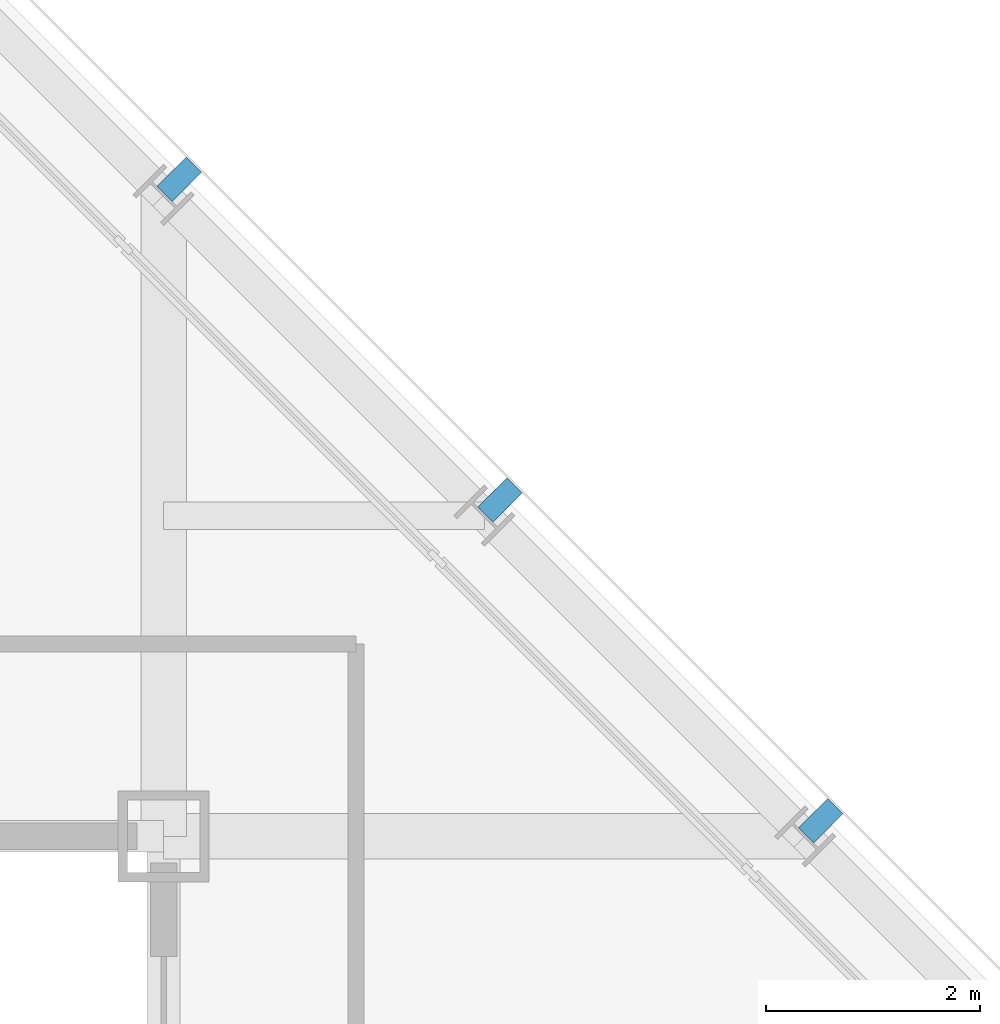
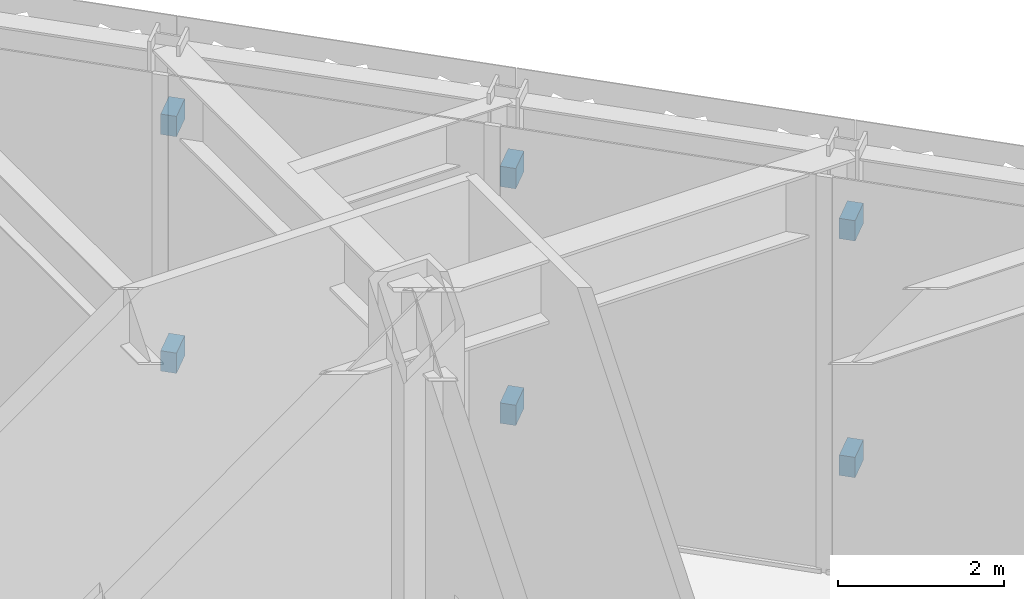
# One storey, part 17 of 28: 6 discrete accessories.
"""IFC4 building model written with IfcOpenShell, lengths in metres."""

from ifc_helpers import new_model, si_unit, direction, frame, origin, origin_2d, place, context, subcontext, project, spatial, rectangle, extrude, material, type_object, element, save


model = new_model("IFC4")

# Units and contexts
model_context = context("Model", 3, precision=1e-05, world=origin(), true_north=direction((0.0, 1.0)))
body_context = subcontext(model_context, "Body", "Model", "MODEL_VIEW")
ifc_project = project(units=[si_unit("LENGTHUNIT", "METRE"), si_unit("AREAUNIT", "SQUARE_METRE"), si_unit("VOLUMEUNIT", "CUBIC_METRE"), si_unit("PLANEANGLEUNIT", "RADIAN"), si_unit("MASSUNIT", "GRAM", prefix="KILO")], contexts=[model_context])

# Site, building, storey
site_placement = place(None, origin())
site = spatial("IfcSite", under=ifc_project, at=site_placement, CompositionType="ELEMENT")
building_placement = place(site_placement, origin())
building = spatial("IfcBuilding", under=site, at=building_placement, Name="Chuquiago Exchange Tower", CompositionType="ELEMENT")
storey_placement = place(building_placement, frame((0.0, 0.0, 300.0)))
storey = spatial("IfcBuildingStorey", under=building, at=storey_placement, Name="L67", CompositionType="ELEMENT", Elevation=300.0)

# Discrete accessories
ifc_material = material(Name="Stainless steel plate bracket", Category="steel")
discrete_accessory_type = type_object("IfcDiscreteAccessoryType", Name="GB2 cladding bracket 386", PredefinedType="BRACKET", material=ifc_material)
for number, where, z_axis, x_axis, name in (
    (1, (39.146240234375, 33.146240234375, 1.0048828125), (0.0, 0.0, 1.0), (-0.707106781187, 0.707106781187, 0.0), "Cladding bracket L67 NE"),
    (2, (39.146240234375, 33.146240234375, 4.4951171875), (0.0, 0.0, 1.0), (-0.707106781187, 0.707106781187, 0.0), "Cladding bracket L67 NE"),
    (3, (36.146240234375, 36.146240234375, 1.0048828125), (0.0, 0.0, 1.0), (-0.707106781187, 0.707106781187, 0.0), "Cladding bracket L67 NE"),
    (4, (36.146240234375, 36.146240234375, 4.4951171875), (0.0, 0.0, 1.0), (-0.707106781187, 0.707106781187, 0.0), "Cladding bracket L67 NE"),
    (5, (33.146240234375, 39.146240234375, 1.0048828125), (0.0, 0.0, 1.0), (-0.707106781187, 0.707106781187, 0.0), "Cladding bracket L67 NE"),
    (6, (33.146240234375, 39.146240234375, 4.4951171875), (0.0, 0.0, 1.0), (-0.707106781187, 0.707106781187, 0.0), "Cladding bracket L67 NE"),
):
    element("IfcDiscreteAccessory", number, at=place(storey_placement, frame(where, z_axis=z_axis, x_axis=x_axis)), inside=storey, type_object=discrete_accessory_type, Name=name, PredefinedType="BRACKET", context=body_context, shape_type="SweptSolid", body=[
        extrude(rectangle(XDim=0.199951171875, YDim=0.386474609375, at=origin_2d()), origin(), (0.0, 0.0, 1.0), 0.300048828125),
    ])

save(model, "model.ifc")
